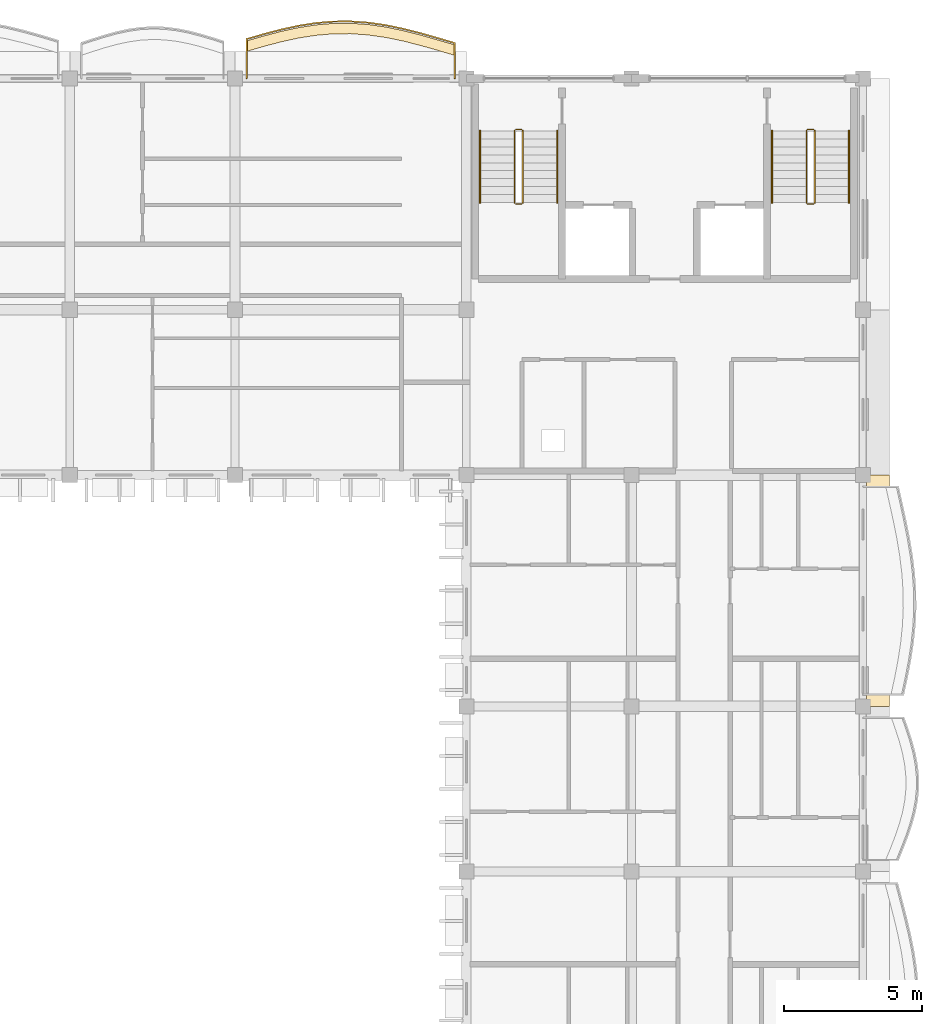
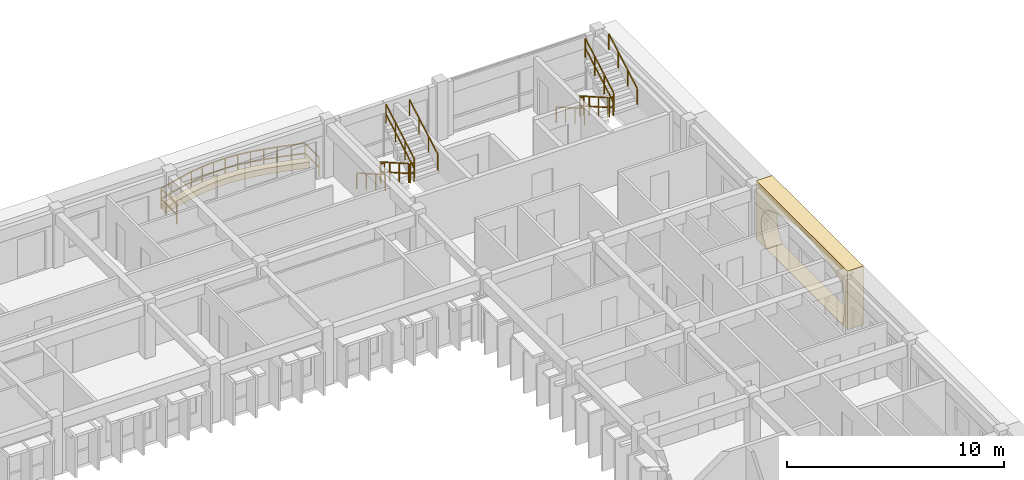
# One storey, part 58 of 59: 13 railings, 2 coverings.
"""IFC4 building model written with IfcOpenShell, lengths in metres."""

from ifc_helpers import new_model, si_unit, direction, frame, origin, origin_2d, place, context, subcontext, project, spatial, polyline, rectangle, outline, extrude, material, layer, layer_set, type_object, element, save


model = new_model("IFC4")

# Units and contexts
model_context = context("Model", 3, precision=1e-05, world=origin(), true_north=direction((0.0, 1.0)))
body_context = subcontext(model_context, "Body", "Model", "MODEL_VIEW")
ifc_project = project(units=[si_unit("LENGTHUNIT", "METRE"), si_unit("AREAUNIT", "SQUARE_METRE"), si_unit("VOLUMEUNIT", "CUBIC_METRE"), si_unit("PLANEANGLEUNIT", "RADIAN"), si_unit("MASSUNIT", "GRAM", prefix="KILO"), si_unit("THERMODYNAMICTEMPERATUREUNIT", "KELVIN")], contexts=[model_context])

# Site, building, storey
site_placement = place(None, origin())
site = spatial("IfcSite", under=ifc_project, at=site_placement, CompositionType="ELEMENT")
building_placement = place(site_placement, origin())
building = spatial("IfcBuilding", under=site, at=building_placement, Name="Thalorik Housing Commons", CompositionType="ELEMENT")
storey_placement = place(building_placement, frame((0.0, 0.0, 27.89990234375)))
storey = spatial("IfcBuildingStorey", under=building, at=storey_placement, Name="L08", CompositionType="ELEMENT", Elevation=27.89990234375)

# Coverings
ifc_material_1 = material(Name="Precast concrete C40/50", Category="concrete")
ifc_layer_1 = layer(ifc_material_1, 0.85009765625, Name="Precast concrete C40/50", Category="concrete")
ifc_layer_set_1 = layer_set([ifc_layer_1], Name="Precast concrete C40/50")
covering_type_1 = type_object("IfcCoveringType", Name="ARC-CLD-CUSH-850", PredefinedType="CLADDING", material=ifc_layer_set_1)
covering_1_placement = place(storey_placement, frame((167.347412109375, 105.0, 0.0), z_axis=(0.0, 0.0, 1.0), x_axis=(0.0, 1.0, 0.0)))
element("IfcCovering", 1, at=covering_1_placement, inside=storey, type_object=covering_type_1, Name="L08 White Precast Curved Cushion Bay Frame 2886", PredefinedType="CLADDING", context=body_context, shape_type="SweptSolid", body=[
    extrude(outline(polyline([(-4.199951171875, 0.0), (4.199951171875, 0.0), (4.199951171875, 3.300048828125), (-4.199951171875, 3.300048828125), (-4.199951171875, 0.0)]), holes=[polyline([(3.239990234375, 0.02490234375), (3.523193359375, 0.394287109375), (3.693359375, 0.76318359375), (3.75, 1.132568359375), (3.693359375, 1.501708984375), (3.523193359375, 1.870849609375), (3.239990234375, 2.239990234375), (2.65625, 2.4833984375), (2.072509765625, 2.6748046875), (1.48876953125, 2.82958984375), (0.905029296875, 2.94482421875), (0.3212890625, 3.01611328125), (-0.262451171875, 3.0400390625), (-0.84619140625, 3.01611328125), (-1.429931640625, 2.94482421875), (-2.013671875, 2.82958984375), (-2.597412109375, 2.6748046875), (-3.181396484375, 2.4833984375), (-3.764892578125, 2.239990234375), (-3.856689453125, 1.870849609375), (-3.911865234375, 1.501708984375), (-3.930419921875, 1.132568359375), (-3.911865234375, 0.76318359375), (-3.856689453125, 0.394287109375), (-3.764892578125, 0.02490234375), (3.239990234375, 0.02490234375)])]), frame((0.0, 0.425048828125, 0.0), z_axis=(0.0, -1.0, 0.0), x_axis=(1.0, 0.0, 0.0)), (0.0, 0.0, 1.0), 0.85009765625),
])
ifc_material_2 = material(Name="Planted vegetated substrate and terracotta trough", Category="masonry")
ifc_layer_2 = layer(ifc_material_2, 0.340087890625, Name="Planted vegetated substrate and terracotta trough", Category="masonry")
ifc_layer_set_2 = layer_set([ifc_layer_2], Name="Planted vegetated substrate and terracotta trough")
covering_type_2 = type_object("IfcCoveringType", Name="ARC-COV-PLANTER", PredefinedType="USERDEFINED", material=ifc_layer_set_2)
covering_2_placement = place(storey_placement, origin())
element("IfcCovering", 2, at=covering_2_placement, inside=storey, type_object=covering_type_2, Name="L08 Balcony Slab-Edge Planted Trough 5521", ObjectType="PLANTER", PredefinedType="USERDEFINED", context=body_context, shape_type="SweptSolid", body=[
    extrude(outline(polyline([(151.97998046875, 124.8193359375), (151.35009765625, 125.0048828125), (150.719970703125, 125.183349609375), (150.090087890625, 125.342529296875), (149.4599609375, 125.4716796875), (148.830078125, 125.561279296875), (148.199951171875, 125.60546875), (147.570068359375, 125.6005859375), (146.93994140625, 125.54736328125), (146.31005859375, 125.448974609375), (145.679931640625, 125.3125), (145.050048828125, 125.14697265625), (144.419921875, 124.9638671875), (144.419921875, 124.583740234375), (145.050048828125, 124.766845703125), (145.679931640625, 124.932373046875), (146.31005859375, 125.069091796875), (146.93994140625, 125.16748046875), (147.570068359375, 125.220703125), (148.199951171875, 125.225341796875), (148.830078125, 125.181396484375), (149.4599609375, 125.091796875), (150.090087890625, 124.962646484375), (150.719970703125, 124.80322265625), (151.35009765625, 124.624755859375), (151.97998046875, 124.439453125), (151.97998046875, 124.8193359375)])), origin(), (0.0, 0.0, 1.0), 0.340087890625),
])

# Railings
ifc_material_3 = material(Name="Steel S355", Category="steel")
railing_type_1 = type_object("IfcRailingType", Name="ARC-RL-BAL-115", PredefinedType="BALUSTRADE", material=ifc_material_3)
railing_1_placement = place(storey_placement, frame((151.97998046875, 123.60009765625, 0.0)))
element("IfcRailing", 3, at=railing_1_placement, inside=storey, type_object=railing_type_1, Name="L08 Cushion Balcony Guardrail 205", PredefinedType="BALUSTRADE", context=body_context, shape_type="SweptSolid", body=[
    extrude(rectangle(XDim=0.050048828125, YDim=0.050048828125, at=origin_2d()), frame((0.0, 0.0, 1.125), z_axis=(0.0, 1.0, 0.0), x_axis=(-1.0, 0.0, 0.0)), (0.0, 0.0, 1.0), 1.289306640625),
    extrude(rectangle(XDim=0.050048828125, YDim=0.050048828125, at=origin_2d()), frame((0.0, 0.0, 0.5498046875), z_axis=(0.0, 1.0, 0.0), x_axis=(-1.0, 0.0, 0.0)), (0.0, 0.0, 1.0), 1.289306640625),
    extrude(rectangle(XDim=0.050048828125, YDim=0.050048828125, at=origin_2d()), frame((0.0, 1.289306640625, 1.125), z_axis=(-0.959347736603, 0.282226717861, 0.0), x_axis=(-0.282226717861, -0.959347736603, 0.0)), (0.0, 0.0, 1.0), 0.656494140625),
    extrude(rectangle(XDim=0.050048828125, YDim=0.050048828125, at=origin_2d()), frame((0.0, 1.289306640625, 0.5498046875), z_axis=(-0.959347736603, 0.282226717861, 0.0), x_axis=(-0.282226717861, -0.959347736603, 0.0)), (0.0, 0.0, 1.0), 0.656494140625),
    extrude(rectangle(XDim=0.050048828125, YDim=0.050048828125, at=origin_2d()), frame((-0.6298828125, 1.474609375, 1.125), z_axis=(-0.962056630999, 0.272849846529, 0.0), x_axis=(-0.272849846529, -0.962056630999, 0.0)), (0.0, 0.0, 1.0), 0.655029296875),
    extrude(rectangle(XDim=0.050048828125, YDim=0.050048828125, at=origin_2d()), frame((-0.6298828125, 1.474609375, 0.5498046875), z_axis=(-0.962056630999, 0.272849846529, 0.0), x_axis=(-0.272849846529, -0.962056630999, 0.0)), (0.0, 0.0, 1.0), 0.655029296875),
    extrude(rectangle(XDim=0.050048828125, YDim=0.050048828125, at=origin_2d()), frame((-1.260009765625, 1.6533203125, 1.125), z_axis=(-0.969520404283, 0.245010582788, 0.0), x_axis=(-0.245010582788, -0.969520404283, 0.0)), (0.0, 0.0, 1.0), 0.649658203125),
    extrude(rectangle(XDim=0.050048828125, YDim=0.050048828125, at=origin_2d()), frame((-1.260009765625, 1.6533203125, 0.5498046875), z_axis=(-0.969520404283, 0.245010582788, 0.0), x_axis=(-0.245010582788, -0.969520404283, 0.0)), (0.0, 0.0, 1.0), 0.649658203125),
    extrude(rectangle(XDim=0.050048828125, YDim=0.050048828125, at=origin_2d()), frame((-1.889892578125, 1.8125, 1.125), z_axis=(-0.979635255397, 0.200785373927, 0.0), x_axis=(-0.200785373927, -0.979635255397, 0.0)), (0.0, 0.0, 1.0), 0.643310546875),
    extrude(rectangle(XDim=0.050048828125, YDim=0.050048828125, at=origin_2d()), frame((-1.889892578125, 1.8125, 0.5498046875), z_axis=(-0.979635255397, 0.200785373927, 0.0), x_axis=(-0.200785373927, -0.979635255397, 0.0)), (0.0, 0.0, 1.0), 0.643310546875),
    extrude(rectangle(XDim=0.050048828125, YDim=0.050048828125, at=origin_2d()), frame((-2.52001953125, 1.941650390625, 1.125), z_axis=(-0.990033738759, 0.140830380668, 0.0), x_axis=(-0.140830380668, -0.990033738759, 0.0)), (0.0, 0.0, 1.0), 0.63623046875),
    extrude(rectangle(XDim=0.050048828125, YDim=0.050048828125, at=origin_2d()), frame((-2.52001953125, 1.941650390625, 0.5498046875), z_axis=(-0.990033738759, 0.140830380668, 0.0), x_axis=(-0.140830380668, -0.990033738759, 0.0)), (0.0, 0.0, 1.0), 0.63623046875),
    extrude(rectangle(XDim=0.050048828125, YDim=0.050048828125, at=origin_2d()), frame((-3.14990234375, 2.03125, 1.125), z_axis=(-0.997576972688, 0.069571427774, 0.0), x_axis=(-0.069571427774, -0.997576972688, 0.0)), (0.0, 0.0, 1.0), 0.631591796875),
    extrude(rectangle(XDim=0.050048828125, YDim=0.050048828125, at=origin_2d()), frame((-3.14990234375, 2.03125, 0.5498046875), z_axis=(-0.997576972688, 0.069571427774, 0.0), x_axis=(-0.069571427774, -0.997576972688, 0.0)), (0.0, 0.0, 1.0), 0.631591796875),
    extrude(rectangle(XDim=0.050048828125, YDim=0.050048828125, at=origin_2d()), frame((-3.780029296875, 2.0751953125, 1.125), z_axis=(-0.999972884343, -0.007364141396, 0.0), x_axis=(0.007364141396, -0.999972884343, 0.0)), (0.0, 0.0, 1.0), 0.6298828125),
    extrude(rectangle(XDim=0.050048828125, YDim=0.050048828125, at=origin_2d()), frame((-3.780029296875, 2.0751953125, 0.5498046875), z_axis=(-0.999972884343, -0.007364141396, 0.0), x_axis=(0.007364141396, -0.999972884343, 0.0)), (0.0, 0.0, 1.0), 0.6298828125),
    extrude(rectangle(XDim=0.050048828125, YDim=0.050048828125, at=origin_2d()), frame((-4.409912109375, 2.070556640625, 1.125), z_axis=(-0.996451941002, -0.084163705207, 0.0), x_axis=(0.084163705207, -0.996451941002, 0.0)), (0.0, 0.0, 1.0), 0.63232421875),
    extrude(rectangle(XDim=0.050048828125, YDim=0.050048828125, at=origin_2d()), frame((-4.409912109375, 2.070556640625, 0.5498046875), z_axis=(-0.996451941002, -0.084163705207, 0.0), x_axis=(0.084163705207, -0.996451941002, 0.0)), (0.0, 0.0, 1.0), 0.63232421875),
    extrude(rectangle(XDim=0.050048828125, YDim=0.050048828125, at=origin_2d()), frame((-5.0400390625, 2.017333984375, 1.125), z_axis=(-0.988019333947, -0.154330151775, 0.0), x_axis=(0.154330151775, -0.988019333947, 0.0)), (0.0, 0.0, 1.0), 0.637451171875),
    extrude(rectangle(XDim=0.050048828125, YDim=0.050048828125, at=origin_2d()), frame((-5.0400390625, 2.017333984375, 0.5498046875), z_axis=(-0.988019333947, -0.154330151775, 0.0), x_axis=(0.154330151775, -0.988019333947, 0.0)), (0.0, 0.0, 1.0), 0.637451171875),
    extrude(rectangle(XDim=0.050048828125, YDim=0.050048828125, at=origin_2d()), frame((-5.669921875, 1.9189453125, 1.125), z_axis=(-0.977261717402, -0.212036637638, 0.0), x_axis=(0.212036637638, -0.977261717402, 0.0)), (0.0, 0.0, 1.0), 0.644775390625),
    extrude(rectangle(XDim=0.050048828125, YDim=0.050048828125, at=origin_2d()), frame((-5.669921875, 1.9189453125, 0.5498046875), z_axis=(-0.977261717402, -0.212036637638, 0.0), x_axis=(0.212036637638, -0.977261717402, 0.0)), (0.0, 0.0, 1.0), 0.644775390625),
    extrude(rectangle(XDim=0.050048828125, YDim=0.050048828125, at=origin_2d()), frame((-6.300048828125, 1.7822265625, 1.125), z_axis=(-0.967161884904, -0.254161146498, 0.0), x_axis=(0.254161146498, -0.967161884904, 0.0)), (0.0, 0.0, 1.0), 0.6513671875),
    extrude(rectangle(XDim=0.050048828125, YDim=0.050048828125, at=origin_2d()), frame((-6.300048828125, 1.7822265625, 0.5498046875), z_axis=(-0.967161884904, -0.254161146498, 0.0), x_axis=(0.254161146498, -0.967161884904, 0.0)), (0.0, 0.0, 1.0), 0.6513671875),
    extrude(rectangle(XDim=0.050048828125, YDim=0.050048828125, at=origin_2d()), frame((-6.929931640625, 1.61669921875, 1.125), z_axis=(-0.960278714224, -0.279042632959, 0.0), x_axis=(0.279042632959, -0.960278714224, 0.0)), (0.0, 0.0, 1.0), 0.65625),
    extrude(rectangle(XDim=0.050048828125, YDim=0.050048828125, at=origin_2d()), frame((-6.929931640625, 1.61669921875, 0.5498046875), z_axis=(-0.960278714224, -0.279042632959, 0.0), x_axis=(0.279042632959, -0.960278714224, 0.0)), (0.0, 0.0, 1.0), 0.65625),
    extrude(rectangle(XDim=0.050048828125, YDim=0.050048828125, at=origin_2d()), frame((-7.56005859375, 1.43359375, 1.125), z_axis=(0.0, -1.0, 0.0), x_axis=(1.0, 0.0, 0.0)), (0.0, 0.0, 1.0), 1.43359375),
    extrude(rectangle(XDim=0.050048828125, YDim=0.050048828125, at=origin_2d()), frame((-7.56005859375, 1.43359375, 0.5498046875), z_axis=(0.0, -1.0, 0.0), x_axis=(1.0, 0.0, 0.0)), (0.0, 0.0, 1.0), 1.43359375),
    extrude(rectangle(XDim=0.0419921875, YDim=0.0419921875, at=origin_2d()), origin(), (0.0, 0.0, 1.0), 1.099853515625),
    extrude(rectangle(XDim=0.0419921875, YDim=0.0419921875, at=origin_2d()), frame((0.0, 1.289306640625, 0.0)), (0.0, 0.0, 1.0), 1.099853515625),
    extrude(rectangle(XDim=0.0419921875, YDim=0.0419921875, at=origin_2d()), frame((-0.6298828125, 1.474609375, 0.0)), (0.0, 0.0, 1.0), 1.099853515625),
    extrude(rectangle(XDim=0.0419921875, YDim=0.0419921875, at=origin_2d()), frame((-1.260009765625, 1.6533203125, 0.0)), (0.0, 0.0, 1.0), 1.099853515625),
    extrude(rectangle(XDim=0.0419921875, YDim=0.0419921875, at=origin_2d()), frame((-1.889892578125, 1.8125, 0.0)), (0.0, 0.0, 1.0), 1.099853515625),
    extrude(rectangle(XDim=0.0419921875, YDim=0.0419921875, at=origin_2d()), frame((-2.52001953125, 1.941650390625, 0.0)), (0.0, 0.0, 1.0), 1.099853515625),
    extrude(rectangle(XDim=0.0419921875, YDim=0.0419921875, at=origin_2d()), frame((-3.14990234375, 2.03125, 0.0)), (0.0, 0.0, 1.0), 1.099853515625),
    extrude(rectangle(XDim=0.0419921875, YDim=0.0419921875, at=origin_2d()), frame((-3.780029296875, 2.0751953125, 0.0)), (0.0, 0.0, 1.0), 1.099853515625),
    extrude(rectangle(XDim=0.0419921875, YDim=0.0419921875, at=origin_2d()), frame((-4.409912109375, 2.070556640625, 0.0)), (0.0, 0.0, 1.0), 1.099853515625),
    extrude(rectangle(XDim=0.0419921875, YDim=0.0419921875, at=origin_2d()), frame((-5.0400390625, 2.017333984375, 0.0)), (0.0, 0.0, 1.0), 1.099853515625),
    extrude(rectangle(XDim=0.0419921875, YDim=0.0419921875, at=origin_2d()), frame((-5.669921875, 1.9189453125, 0.0)), (0.0, 0.0, 1.0), 1.099853515625),
    extrude(rectangle(XDim=0.0419921875, YDim=0.0419921875, at=origin_2d()), frame((-6.300048828125, 1.7822265625, 0.0)), (0.0, 0.0, 1.0), 1.099853515625),
    extrude(rectangle(XDim=0.0419921875, YDim=0.0419921875, at=origin_2d()), frame((-6.929931640625, 1.61669921875, 0.0)), (0.0, 0.0, 1.0), 1.099853515625),
    extrude(rectangle(XDim=0.0419921875, YDim=0.0419921875, at=origin_2d()), frame((-7.56005859375, 1.43359375, 0.0)), (0.0, 0.0, 1.0), 1.099853515625),
    extrude(rectangle(XDim=0.0419921875, YDim=0.0419921875, at=origin_2d()), frame((-7.56005859375, 0.0, 0.0)), (0.0, 0.0, 1.0), 1.099853515625),
])
railing_type_2 = type_object("IfcRailingType", Name="ARC-RL-STR-GRD110", PredefinedType="GUARDRAIL", material=ifc_material_3)
railing_2_placement = place(storey_placement, frame((154.14990234375, 121.699951171875, 0.1650390625)))
element("IfcRailing", 4, at=railing_2_placement, inside=storey, type_object=railing_type_2, Name="L08 ST-B1 stair guard 1", PredefinedType="GUARDRAIL", context=body_context, shape_type="SweptSolid", body=[
    extrude(rectangle(XDim=0.048095703125, YDim=0.048095703125, at=origin_2d()), frame((0.0, 0.0, 1.076171875), z_axis=(0.0, -0.869137319866, 0.494570843475), x_axis=(1.0, 0.0, 0.0)), (0.0, 0.0, 1.0), 3.0029296875),
    extrude(rectangle(XDim=0.048095703125, YDim=0.048095703125, at=origin_2d()), frame((0.0, 0.0, 0.52587890625), z_axis=(0.0, -0.869137319866, 0.494570843475), x_axis=(1.0, 0.0, 0.0)), (0.0, 0.0, 1.0), 3.0029296875),
    extrude(rectangle(XDim=0.0419921875, YDim=0.0419921875, at=origin_2d()), origin(), (0.0, 0.0, 1.0), 1.052001953125),
    extrude(rectangle(XDim=0.0419921875, YDim=0.0419921875, at=origin_2d()), frame((0.0, -0.869873046875, 0.4951171875)), (0.0, 0.0, 1.0), 1.052001953125),
    extrude(rectangle(XDim=0.0419921875, YDim=0.0419921875, at=origin_2d()), frame((0.0, -1.739990234375, 0.989990234375)), (0.0, 0.0, 1.0), 1.052001953125),
    extrude(rectangle(XDim=0.0419921875, YDim=0.0419921875, at=origin_2d()), frame((0.0, -2.60986328125, 1.485107421875)), (0.0, 0.0, 1.0), 1.052001953125),
])
railing_3_placement = place(storey_placement, frame((154.199951171875, 119.0400390625, 1.650146484375)))
element("IfcRailing", 5, at=railing_3_placement, inside=storey, type_object=railing_type_2, Name="L08 ST-B1 stair guard 2", PredefinedType="GUARDRAIL", context=body_context, shape_type="SweptSolid", body=[
    extrude(rectangle(XDim=0.048095703125, YDim=0.048095703125, at=origin_2d()), frame((0.0, 0.0, 1.076171875), z_axis=(1.0, 0.0, 0.0), x_axis=(0.0, 1.0, 0.0)), (0.0, 0.0, 1.0), 0.199951171875),
    extrude(rectangle(XDim=0.048095703125, YDim=0.048095703125, at=origin_2d()), frame((0.0, 0.0, 0.52587890625), z_axis=(1.0, 0.0, 0.0), x_axis=(0.0, 1.0, 0.0)), (0.0, 0.0, 1.0), 0.199951171875),
    extrude(rectangle(XDim=0.0419921875, YDim=0.0419921875, at=origin_2d()), origin(), (0.0, 0.0, 1.0), 1.052001953125),
    extrude(rectangle(XDim=0.0419921875, YDim=0.0419921875, at=origin_2d()), frame((0.199951171875, 0.0, 0.0)), (0.0, 0.0, 1.0), 1.052001953125),
])
railing_4_placement = place(storey_placement, frame((154.449951171875, 119.090087890625, 1.815185546875)))
element("IfcRailing", 6, at=railing_4_placement, inside=storey, type_object=railing_type_2, Name="L08 ST-B1 stair guard 3", PredefinedType="GUARDRAIL", context=body_context, shape_type="SweptSolid", body=[
    extrude(rectangle(XDim=0.048095703125, YDim=0.048095703125, at=origin_2d()), frame((0.0, 0.0, 1.076171875), z_axis=(0.0, 0.869172267526, 0.494509422927), x_axis=(-1.0, 0.0, 0.0)), (0.0, 0.0, 1.0), 3.002685546875),
    extrude(rectangle(XDim=0.048095703125, YDim=0.048095703125, at=origin_2d()), frame((0.0, 0.0, 0.52587890625), z_axis=(0.0, 0.869172267526, 0.494509422927), x_axis=(-1.0, 0.0, 0.0)), (0.0, 0.0, 1.0), 3.002685546875),
    extrude(rectangle(XDim=0.0419921875, YDim=0.0419921875, at=origin_2d()), origin(), (0.0, 0.0, 1.0), 1.052001953125),
    extrude(rectangle(XDim=0.0419921875, YDim=0.0419921875, at=origin_2d()), frame((0.0, 0.869873046875, 0.494873046875)), (0.0, 0.0, 1.0), 1.052001953125),
    extrude(rectangle(XDim=0.0419921875, YDim=0.0419921875, at=origin_2d()), frame((0.0, 1.739990234375, 0.989990234375)), (0.0, 0.0, 1.0), 1.052001953125),
    extrude(rectangle(XDim=0.0419921875, YDim=0.0419921875, at=origin_2d()), frame((0.0, 2.60986328125, 1.48486328125)), (0.0, 0.0, 1.0), 1.052001953125),
])
railing_5_placement = place(storey_placement, frame((154.199951171875, 121.75, 0.0)))
element("IfcRailing", 7, at=railing_5_placement, inside=storey, type_object=railing_type_2, Name="L08 ST-B1 stair guard 4", PredefinedType="GUARDRAIL", context=body_context, shape_type="SweptSolid", body=[
    extrude(rectangle(XDim=0.048095703125, YDim=0.048095703125, at=origin_2d()), frame((0.0, 0.0, 1.076171875), z_axis=(1.0, 0.0, 0.0), x_axis=(0.0, 1.0, 0.0)), (0.0, 0.0, 1.0), 0.199951171875),
    extrude(rectangle(XDim=0.048095703125, YDim=0.048095703125, at=origin_2d()), frame((0.0, 0.0, 0.52587890625), z_axis=(1.0, 0.0, 0.0), x_axis=(0.0, 1.0, 0.0)), (0.0, 0.0, 1.0), 0.199951171875),
    extrude(rectangle(XDim=0.0419921875, YDim=0.0419921875, at=origin_2d()), origin(), (0.0, 0.0, 1.0), 1.052001953125),
    extrude(rectangle(XDim=0.0419921875, YDim=0.0419921875, at=origin_2d()), frame((0.199951171875, 0.0, 0.0)), (0.0, 0.0, 1.0), 1.052001953125),
])
railing_6_placement = place(storey_placement, frame((164.75, 121.699951171875, 0.1650390625)))
element("IfcRailing", 8, at=railing_6_placement, inside=storey, type_object=railing_type_2, Name="L08 ST-B2 stair guard 1", PredefinedType="GUARDRAIL", context=body_context, shape_type="SweptSolid", body=[
    extrude(rectangle(XDim=0.048095703125, YDim=0.048095703125, at=origin_2d()), frame((0.0, 0.0, 1.076171875), z_axis=(0.0, -0.869137319866, 0.494570843475), x_axis=(1.0, 0.0, 0.0)), (0.0, 0.0, 1.0), 3.0029296875),
    extrude(rectangle(XDim=0.048095703125, YDim=0.048095703125, at=origin_2d()), frame((0.0, 0.0, 0.52587890625), z_axis=(0.0, -0.869137319866, 0.494570843475), x_axis=(1.0, 0.0, 0.0)), (0.0, 0.0, 1.0), 3.0029296875),
    extrude(rectangle(XDim=0.0419921875, YDim=0.0419921875, at=origin_2d()), origin(), (0.0, 0.0, 1.0), 1.052001953125),
    extrude(rectangle(XDim=0.0419921875, YDim=0.0419921875, at=origin_2d()), frame((0.0, -0.869873046875, 0.4951171875)), (0.0, 0.0, 1.0), 1.052001953125),
    extrude(rectangle(XDim=0.0419921875, YDim=0.0419921875, at=origin_2d()), frame((0.0, -1.739990234375, 0.989990234375)), (0.0, 0.0, 1.0), 1.052001953125),
    extrude(rectangle(XDim=0.0419921875, YDim=0.0419921875, at=origin_2d()), frame((0.0, -2.60986328125, 1.485107421875)), (0.0, 0.0, 1.0), 1.052001953125),
])
railing_7_placement = place(storey_placement, frame((164.800048828125, 119.0400390625, 1.650146484375)))
element("IfcRailing", 9, at=railing_7_placement, inside=storey, type_object=railing_type_2, Name="L08 ST-B2 stair guard 2", PredefinedType="GUARDRAIL", context=body_context, shape_type="SweptSolid", body=[
    extrude(rectangle(XDim=0.048095703125, YDim=0.048095703125, at=origin_2d()), frame((0.0, 0.0, 1.076171875), z_axis=(1.0, 0.0, 0.0), x_axis=(0.0, 1.0, 0.0)), (0.0, 0.0, 1.0), 0.199951171875),
    extrude(rectangle(XDim=0.048095703125, YDim=0.048095703125, at=origin_2d()), frame((0.0, 0.0, 0.52587890625), z_axis=(1.0, 0.0, 0.0), x_axis=(0.0, 1.0, 0.0)), (0.0, 0.0, 1.0), 0.199951171875),
    extrude(rectangle(XDim=0.0419921875, YDim=0.0419921875, at=origin_2d()), origin(), (0.0, 0.0, 1.0), 1.052001953125),
    extrude(rectangle(XDim=0.0419921875, YDim=0.0419921875, at=origin_2d()), frame((0.199951171875, 0.0, 0.0)), (0.0, 0.0, 1.0), 1.052001953125),
])
railing_8_placement = place(storey_placement, frame((165.050048828125, 119.090087890625, 1.815185546875)))
element("IfcRailing", 10, at=railing_8_placement, inside=storey, type_object=railing_type_2, Name="L08 ST-B2 stair guard 3", PredefinedType="GUARDRAIL", context=body_context, shape_type="SweptSolid", body=[
    extrude(rectangle(XDim=0.048095703125, YDim=0.048095703125, at=origin_2d()), frame((0.0, 0.0, 1.076171875), z_axis=(0.0, 0.869172267526, 0.494509422927), x_axis=(-1.0, 0.0, 0.0)), (0.0, 0.0, 1.0), 3.002685546875),
    extrude(rectangle(XDim=0.048095703125, YDim=0.048095703125, at=origin_2d()), frame((0.0, 0.0, 0.52587890625), z_axis=(0.0, 0.869172267526, 0.494509422927), x_axis=(-1.0, 0.0, 0.0)), (0.0, 0.0, 1.0), 3.002685546875),
    extrude(rectangle(XDim=0.0419921875, YDim=0.0419921875, at=origin_2d()), origin(), (0.0, 0.0, 1.0), 1.052001953125),
    extrude(rectangle(XDim=0.0419921875, YDim=0.0419921875, at=origin_2d()), frame((0.0, 0.869873046875, 0.494873046875)), (0.0, 0.0, 1.0), 1.052001953125),
    extrude(rectangle(XDim=0.0419921875, YDim=0.0419921875, at=origin_2d()), frame((0.0, 1.739990234375, 0.989990234375)), (0.0, 0.0, 1.0), 1.052001953125),
    extrude(rectangle(XDim=0.0419921875, YDim=0.0419921875, at=origin_2d()), frame((0.0, 2.60986328125, 1.48486328125)), (0.0, 0.0, 1.0), 1.052001953125),
])
railing_9_placement = place(storey_placement, frame((164.800048828125, 121.75, 0.0)))
element("IfcRailing", 11, at=railing_9_placement, inside=storey, type_object=railing_type_2, Name="L08 ST-B2 stair guard 4", PredefinedType="GUARDRAIL", context=body_context, shape_type="SweptSolid", body=[
    extrude(rectangle(XDim=0.048095703125, YDim=0.048095703125, at=origin_2d()), frame((0.0, 0.0, 1.076171875), z_axis=(1.0, 0.0, 0.0), x_axis=(0.0, 1.0, 0.0)), (0.0, 0.0, 1.0), 0.199951171875),
    extrude(rectangle(XDim=0.048095703125, YDim=0.048095703125, at=origin_2d()), frame((0.0, 0.0, 0.52587890625), z_axis=(1.0, 0.0, 0.0), x_axis=(0.0, 1.0, 0.0)), (0.0, 0.0, 1.0), 0.199951171875),
    extrude(rectangle(XDim=0.0419921875, YDim=0.0419921875, at=origin_2d()), origin(), (0.0, 0.0, 1.0), 1.052001953125),
    extrude(rectangle(XDim=0.0419921875, YDim=0.0419921875, at=origin_2d()), frame((0.199951171875, 0.0, 0.0)), (0.0, 0.0, 1.0), 1.052001953125),
])
railing_type_3 = type_object("IfcRailingType", Name="ARC-RL-STR-HR092", PredefinedType="HANDRAIL", material=ifc_material_3)
railing_10_placement = place(storey_placement, frame((152.89990234375, 121.699951171875, 0.1650390625)))
element("IfcRailing", 12, at=railing_10_placement, inside=storey, type_object=railing_type_3, Name="L08 ST-B1 stair handrail 1", PredefinedType="HANDRAIL", context=body_context, shape_type="SweptSolid", body=[
    extrude(rectangle(XDim=0.048095703125, YDim=0.048095703125, at=origin_2d()), frame((0.0, 0.0, 0.89599609375), z_axis=(0.0, -0.869137319866, 0.494570843475), x_axis=(1.0, 0.0, 0.0)), (0.0, 0.0, 1.0), 3.0029296875),
    extrude(rectangle(XDim=0.0419921875, YDim=0.0419921875, at=origin_2d()), origin(), (0.0, 0.0, 1.0), 0.871826171875),
    extrude(rectangle(XDim=0.0419921875, YDim=0.0419921875, at=origin_2d()), frame((0.0, -0.869873046875, 0.4951171875)), (0.0, 0.0, 1.0), 0.871826171875),
    extrude(rectangle(XDim=0.0419921875, YDim=0.0419921875, at=origin_2d()), frame((0.0, -1.739990234375, 0.989990234375)), (0.0, 0.0, 1.0), 0.871826171875),
    extrude(rectangle(XDim=0.0419921875, YDim=0.0419921875, at=origin_2d()), frame((0.0, -2.60986328125, 1.485107421875)), (0.0, 0.0, 1.0), 0.871826171875),
])
railing_11_placement = place(storey_placement, frame((155.699951171875, 119.090087890625, 1.815185546875)))
element("IfcRailing", 13, at=railing_11_placement, inside=storey, type_object=railing_type_3, Name="L08 ST-B1 stair handrail 2", PredefinedType="HANDRAIL", context=body_context, shape_type="SweptSolid", body=[
    extrude(rectangle(XDim=0.048095703125, YDim=0.048095703125, at=origin_2d()), frame((0.0, 0.0, 0.89599609375), z_axis=(0.0, 0.869172267526, 0.494509422927), x_axis=(-1.0, 0.0, 0.0)), (0.0, 0.0, 1.0), 3.002685546875),
    extrude(rectangle(XDim=0.0419921875, YDim=0.0419921875, at=origin_2d()), origin(), (0.0, 0.0, 1.0), 0.871826171875),
    extrude(rectangle(XDim=0.0419921875, YDim=0.0419921875, at=origin_2d()), frame((0.0, 0.869873046875, 0.494873046875)), (0.0, 0.0, 1.0), 0.871826171875),
    extrude(rectangle(XDim=0.0419921875, YDim=0.0419921875, at=origin_2d()), frame((0.0, 1.739990234375, 0.989990234375)), (0.0, 0.0, 1.0), 0.871826171875),
    extrude(rectangle(XDim=0.0419921875, YDim=0.0419921875, at=origin_2d()), frame((0.0, 2.60986328125, 1.48486328125)), (0.0, 0.0, 1.0), 0.871826171875),
])
railing_12_placement = place(storey_placement, frame((163.5, 121.699951171875, 0.1650390625)))
element("IfcRailing", 14, at=railing_12_placement, inside=storey, type_object=railing_type_3, Name="L08 ST-B2 stair handrail 1", PredefinedType="HANDRAIL", context=body_context, shape_type="SweptSolid", body=[
    extrude(rectangle(XDim=0.048095703125, YDim=0.048095703125, at=origin_2d()), frame((0.0, 0.0, 0.89599609375), z_axis=(0.0, -0.869137319866, 0.494570843475), x_axis=(1.0, 0.0, 0.0)), (0.0, 0.0, 1.0), 3.0029296875),
    extrude(rectangle(XDim=0.0419921875, YDim=0.0419921875, at=origin_2d()), origin(), (0.0, 0.0, 1.0), 0.871826171875),
    extrude(rectangle(XDim=0.0419921875, YDim=0.0419921875, at=origin_2d()), frame((0.0, -0.869873046875, 0.4951171875)), (0.0, 0.0, 1.0), 0.871826171875),
    extrude(rectangle(XDim=0.0419921875, YDim=0.0419921875, at=origin_2d()), frame((0.0, -1.739990234375, 0.989990234375)), (0.0, 0.0, 1.0), 0.871826171875),
    extrude(rectangle(XDim=0.0419921875, YDim=0.0419921875, at=origin_2d()), frame((0.0, -2.60986328125, 1.485107421875)), (0.0, 0.0, 1.0), 0.871826171875),
])
railing_13_placement = place(storey_placement, frame((166.300048828125, 119.090087890625, 1.815185546875)))
element("IfcRailing", 15, at=railing_13_placement, inside=storey, type_object=railing_type_3, Name="L08 ST-B2 stair handrail 2", PredefinedType="HANDRAIL", context=body_context, shape_type="SweptSolid", body=[
    extrude(rectangle(XDim=0.048095703125, YDim=0.048095703125, at=origin_2d()), frame((0.0, 0.0, 0.89599609375), z_axis=(0.0, 0.869172267526, 0.494509422927), x_axis=(-1.0, 0.0, 0.0)), (0.0, 0.0, 1.0), 3.002685546875),
    extrude(rectangle(XDim=0.0419921875, YDim=0.0419921875, at=origin_2d()), origin(), (0.0, 0.0, 1.0), 0.871826171875),
    extrude(rectangle(XDim=0.0419921875, YDim=0.0419921875, at=origin_2d()), frame((0.0, 0.869873046875, 0.494873046875)), (0.0, 0.0, 1.0), 0.871826171875),
    extrude(rectangle(XDim=0.0419921875, YDim=0.0419921875, at=origin_2d()), frame((0.0, 1.739990234375, 0.989990234375)), (0.0, 0.0, 1.0), 0.871826171875),
    extrude(rectangle(XDim=0.0419921875, YDim=0.0419921875, at=origin_2d()), frame((0.0, 2.60986328125, 1.48486328125)), (0.0, 0.0, 1.0), 0.871826171875),
])

save(model, "model.ifc")
